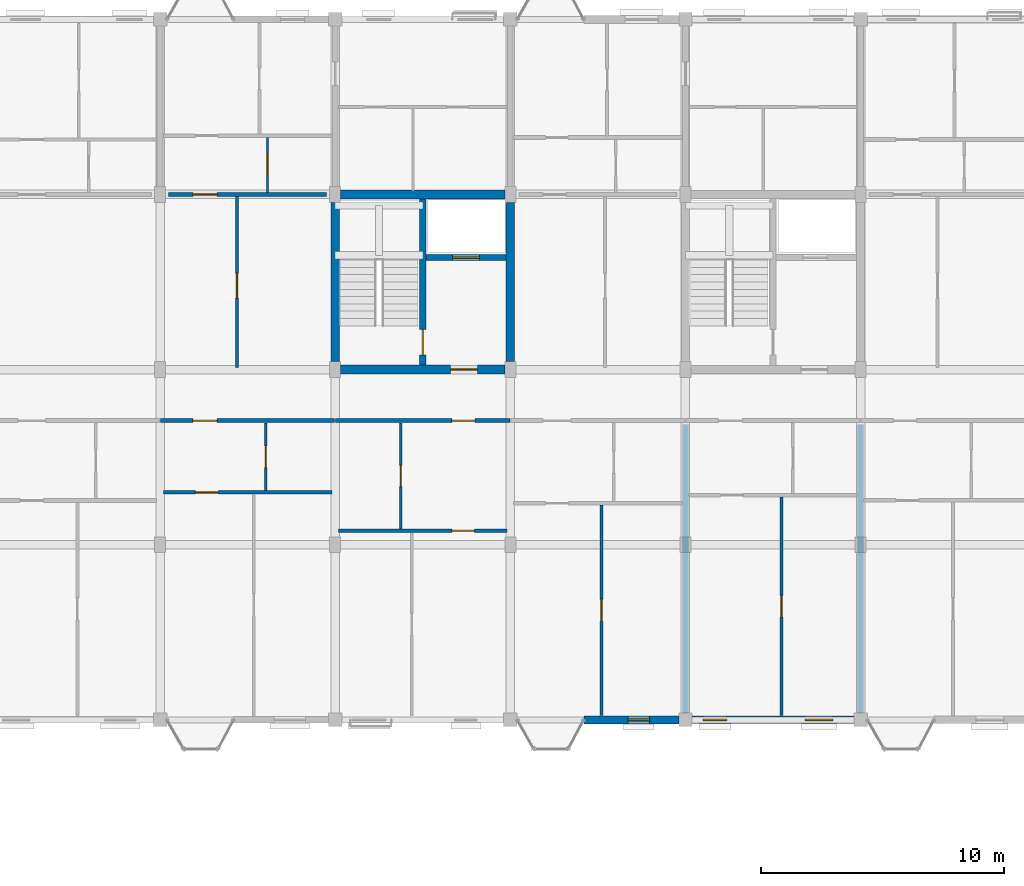
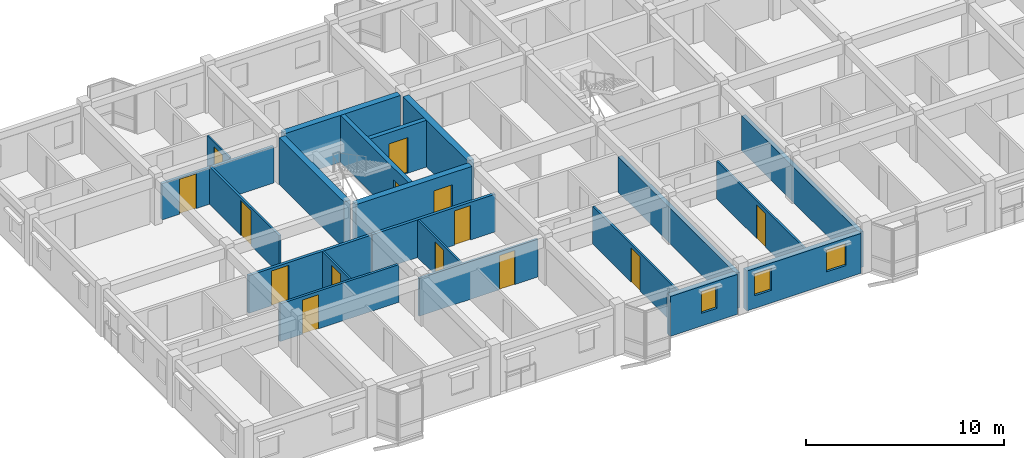
# One storey, part 66 of 79: 21 walls, 14 doors, 3 windows, 17 openings.
"""IFC4 building model written with IfcOpenShell, lengths in metres."""

from ifc_helpers import new_model, si_unit, direction, frame, frame_2d, origin, place, context, subcontext, project, spatial, rectangle, extrude, material, layer, layer_set, type_object, element, fill, save


model = new_model("IFC4")

# Units and contexts
model_context = context("Model", 3, precision=1e-05, world=origin(), true_north=direction((0.0, 1.0)))
body_context = subcontext(model_context, "Body", "Model", "MODEL_VIEW")
ifc_project = project(units=[si_unit("LENGTHUNIT", "METRE"), si_unit("AREAUNIT", "SQUARE_METRE"), si_unit("VOLUMEUNIT", "CUBIC_METRE"), si_unit("PLANEANGLEUNIT", "RADIAN"), si_unit("MASSUNIT", "GRAM", prefix="KILO"), si_unit("THERMODYNAMICTEMPERATUREUNIT", "KELVIN"), si_unit("POWERUNIT", "WATT")], contexts=[model_context])

# Site, building, storey
site_placement = place(None, origin())
site = spatial("IfcSite", under=ifc_project, at=site_placement, CompositionType="ELEMENT")
building_placement = place(site_placement, origin())
building = spatial("IfcBuilding", under=site, at=building_placement, Name="Tavuni Mirador Residences", CompositionType="ELEMENT")
storey_placement = place(building_placement, frame((0.0, 0.0, 13.949951171875)))
storey = spatial("IfcBuildingStorey", under=building, at=storey_placement, Name="L04", CompositionType="ELEMENT", Elevation=13.949951171875)

# Wall, opening, door
ifc_material_1 = material(Name="Precast concrete C40/50", Category="concrete")
ifc_layer_1 = layer(ifc_material_1, 0.25, Name="Precast concrete C40/50", Category="concrete")
ifc_layer_set_1 = layer_set([ifc_layer_1], Name="Precast concrete C40/50")
wall_type_1 = type_object("IfcWallType", Name="WT-COR250", PredefinedType="SHEAR", material=ifc_layer_set_1)
wall_1_placement = place(storey_placement, frame((28.800048828125, 158.580078125, 0.0), z_axis=(0.0, 0.0, 1.0), x_axis=(0.0, 1.0, 0.0)))
wall_1 = element("IfcWall", 1, at=wall_1_placement, inside=storey, type_object=wall_type_1, Name="CWALL-C5-L04-MID", PredefinedType="SHEAR", context=body_context, shape_type="SweptSolid", body=[
    extrude(rectangle(XDim=6.83984375, YDim=0.25, at=frame_2d((3.419921875, 0.0))), origin(), (0.0, 0.0, 1.0), 2.885009765625),
])
opening_1_placement = place(wall_1_placement, frame((0.419921875, 0.0, 0.0)))
opening_1 = element("IfcOpeningElement", 2, at=opening_1_placement, cuts=wall_1, Name="Opening D-01", PredefinedType="OPENING", context=body_context, shape_type="SweptSolid", body=[
    extrude(rectangle(XDim=1.050048828125, YDim=2.14990234375, at=frame_2d((0.52490234375, 1.074951171875))), frame((0.0, 0.135009765625, 0.0), z_axis=(0.0, -1.0, 0.0), x_axis=(1.0, 0.0, 0.0)), (0.0, 0.0, 1.0), 0.27001953125),
])
ifc_material_2 = material(Name="Solid core iroko timber", Category="wood")
door_type_1 = type_object("IfcDoorType", Name="DT-ST1050", OperationType="NOTDEFINED", PredefinedType="DOOR", material=ifc_material_2)
door_1_placement = place(opening_1_placement, origin())
door_1 = element("IfcDoor", 3, at=door_1_placement, inside=storey, type_object=door_type_1, Name="DR-2187", OperationType="SINGLE_SWING_LEFT", OverallHeight=2.14990234375, OverallWidth=1.050048828125, PredefinedType="DOOR", context=body_context, shape_type="SweptSolid", body=[
    extrude(rectangle(XDim=1.050048828125, YDim=2.14990234375, at=frame_2d((0.52490234375, 1.074951171875))), frame((0.0, 0.02490234375, 0.0), z_axis=(0.0, -1.0, 0.0), x_axis=(1.0, 0.0, 0.0)), (0.0, 0.0, 1.0), 0.050048828125),
])
fill(opening_1, door_1)

wall_2_placement = place(storey_placement, frame((28.925048828125, 163.0, 0.0), z_axis=(0.0, 0.0, 1.0), x_axis=(1.0, 0.0, 0.0)))
wall_2 = element("IfcWall", 4, at=wall_2_placement, inside=storey, type_object=wall_type_1, Name="CWALL-C5-L04-SHF", PredefinedType="SHEAR", context=body_context, shape_type="SweptSolid", body=[
    extrude(rectangle(XDim=3.294921875, YDim=0.25, at=frame_2d((1.6474609375, 0.0))), origin(), (0.0, 0.0, 1.0), 2.885009765625),
])
opening_2_placement = place(wall_2_placement, frame((1.10009765625, 0.0, 0.0)))
opening_2 = element("IfcOpeningElement", 5, at=opening_2_placement, cuts=wall_2, Name="Opening LD-01", PredefinedType="OPENING", context=body_context, shape_type="SweptSolid", body=[
    extrude(rectangle(XDim=1.10009765625, YDim=2.199951171875, at=frame_2d((0.550048828125, 1.10009765625))), frame((0.0, 0.135009765625, 0.0), z_axis=(0.0, -1.0, 0.0), x_axis=(1.0, 0.0, 0.0)), (0.0, 0.0, 1.0), 0.27001953125),
])
ifc_material_3 = material(Name="Structural steel S355", Category="steel")
door_type_2 = type_object("IfcDoorType", Name="DT-LD-FF", OperationType="SLIDING_TO_LEFT", PredefinedType="DOOR", material=ifc_material_3)
door_2_placement = place(opening_2_placement, origin())
door_2 = element("IfcDoor", 6, at=door_2_placement, inside=storey, type_object=door_type_2, Name="Lift landing door FL-C1 L04", OperationType="SLIDING_TO_LEFT", OverallHeight=2.199951171875, OverallWidth=1.10009765625, PredefinedType="DOOR", context=body_context, shape_type="SweptSolid", body=[
    extrude(rectangle(XDim=1.10009765625, YDim=2.199951171875, at=frame_2d((0.550048828125, 1.10009765625))), frame((0.0, 0.02490234375, 0.0), z_axis=(0.0, -1.0, 0.0), x_axis=(1.0, 0.0, 0.0)), (0.0, 0.0, 1.0), 0.050048828125),
])
fill(opening_2, door_2)

# Walls
ifc_layer_2 = layer(ifc_material_1, 0.360107421875, Name="Precast concrete C40/50", Category="concrete")
ifc_layer_set_2 = layer_set([ifc_layer_2], Name="Precast concrete C40/50")
wall_type_2 = type_object("IfcWallType", Name="WT-COR360", PredefinedType="SHEAR", material=ifc_layer_set_2)
wall_3_placement = place(storey_placement, frame((25.199951171875, 158.72509765625, 0.0), z_axis=(0.0, 0.0, 1.0), x_axis=(0.0, 1.0, 0.0)))
element("IfcWall", 7, at=wall_3_placement, inside=storey, type_object=wall_type_2, Name="CWALL-C5-L04-W", PredefinedType="SHEAR", context=body_context, shape_type="SweptSolid", body=[
    extrude(rectangle(XDim=6.5498046875, YDim=0.360107421875, at=frame_2d((3.27490234375, 0.0))), origin(), (0.0, 0.0, 1.0), 2.885009765625),
])
wall_4_placement = place(storey_placement, frame((25.425048828125, 165.60009765625, 0.0), z_axis=(0.0, 0.0, 1.0), x_axis=(1.0, 0.0, 0.0)))
element("IfcWall", 8, at=wall_4_placement, inside=storey, type_object=wall_type_2, Name="CWALL-C5-L04-N", PredefinedType="SHEAR", context=body_context, shape_type="SweptSolid", body=[
    extrude(rectangle(XDim=6.75, YDim=0.360107421875, at=frame_2d((3.375, 0.0))), origin(), (0.0, 0.0, 1.0), 2.885009765625),
])
wall_5_placement = place(storey_placement, frame((32.39990234375, 158.72509765625, 0.0), z_axis=(0.0, 0.0, 1.0), x_axis=(0.0, 1.0, 0.0)))
element("IfcWall", 9, at=wall_5_placement, inside=storey, type_object=wall_type_2, Name="CWALL-C5-L04-E", PredefinedType="SHEAR", context=body_context, shape_type="SweptSolid", body=[
    extrude(rectangle(XDim=6.5498046875, YDim=0.360107421875, at=frame_2d((3.27490234375, 0.0))), origin(), (0.0, 0.0, 1.0), 2.885009765625),
])

# Wall, opening, door
wall_6_placement = place(storey_placement, frame((25.425048828125, 158.39990234375, 0.0), z_axis=(0.0, 0.0, 1.0), x_axis=(1.0, 0.0, 0.0)))
wall_6 = element("IfcWall", 10, at=wall_6_placement, inside=storey, type_object=wall_type_2, Name="CWALL-C5-L04-SS", PredefinedType="SHEAR", context=body_context, shape_type="SweptSolid", body=[
    extrude(rectangle(XDim=6.75, YDim=0.360107421875, at=frame_2d((3.375, 0.0))), origin(), (0.0, 0.0, 1.0), 2.885009765625),
])
opening_3_placement = place(wall_6_placement, frame((4.52490234375, 0.0, 0.0)))
opening_3 = element("IfcOpeningElement", 11, at=opening_3_placement, cuts=wall_6, Name="Opening D-02", PredefinedType="OPENING", context=body_context, shape_type="SweptSolid", body=[
    extrude(rectangle(XDim=1.10009765625, YDim=2.14990234375, at=frame_2d((0.550048828125, 1.074951171875))), frame((0.0, 0.18994140625, 0.0), z_axis=(0.0, -1.0, 0.0), x_axis=(1.0, 0.0, 0.0)), (0.0, 0.0, 1.0), 0.380126953125),
])
door_type_3 = type_object("IfcDoorType", Name="DT-LOB1100", OperationType="NOTDEFINED", PredefinedType="DOOR", material=ifc_material_2)
door_3_placement = place(opening_3_placement, frame((1.10009765625, 0.0, 0.0), z_axis=(0.0, 0.0, 1.0), x_axis=(-1.0, 0.0, 0.0)))
door_3 = element("IfcDoor", 12, at=door_3_placement, inside=storey, type_object=door_type_3, Name="DR-2186", OperationType="SINGLE_SWING_RIGHT", OverallHeight=2.14990234375, OverallWidth=1.10009765625, PredefinedType="DOOR", context=body_context, shape_type="SweptSolid", body=[
    extrude(rectangle(XDim=1.10009765625, YDim=2.14990234375, at=frame_2d((0.550048828125, 1.074951171875))), frame((0.0, 0.02490234375, 0.0), z_axis=(0.0, -1.0, 0.0), x_axis=(1.0, 0.0, 0.0)), (0.0, 0.0, 1.0), 0.050048828125),
])
fill(opening_3, door_3)

ifc_layer_3 = layer(ifc_material_1, 0.1650390625, Name="Precast concrete C40/50", Category="concrete")
ifc_layer_set_3 = layer_set([ifc_layer_3], Name="Precast concrete C40/50")
wall_type_3 = type_object("IfcWallType", Name="WT-CORR165", PredefinedType="PARTITIONING", material=ifc_layer_set_3)
wall_7_placement = place(storey_placement, frame((18.02001953125, 156.300048828125, 0.0), z_axis=(0.0, 0.0, 1.0), x_axis=(1.0, 0.0, 0.0)))
wall_7 = element("IfcWall", 13, at=wall_7_placement, inside=storey, type_object=wall_type_3, Name="CORW-BLK-C-L04-0-01", PredefinedType="PARTITIONING", context=body_context, shape_type="SweptSolid", body=[
    extrude(rectangle(XDim=7.159912109375, YDim=0.1650390625, at=frame_2d((3.580078125, 0.0))), origin(), (0.0, 0.0, 1.0), 2.320068359375),
])
opening_4_placement = place(wall_7_placement, frame((1.330078125, 0.0, 0.0)))
opening_4 = element("IfcOpeningElement", 14, at=opening_4_placement, cuts=wall_7, Name="Opening D-03", PredefinedType="OPENING", context=body_context, shape_type="SweptSolid", body=[
    extrude(rectangle(XDim=1.0, YDim=2.14990234375, at=frame_2d((0.5, 1.074951171875))), frame((0.0, 0.092529296875, 0.0), z_axis=(0.0, -1.0, 0.0), x_axis=(1.0, 0.0, 0.0)), (0.0, 0.0, 1.0), 0.18505859375),
])
door_type_4 = type_object("IfcDoorType", Name="DT-FD60-1000", OperationType="NOTDEFINED", PredefinedType="DOOR", material=ifc_material_2)
door_4_placement = place(opening_4_placement, origin())
door_4 = element("IfcDoor", 15, at=door_4_placement, inside=storey, type_object=door_type_4, Name="DR-2676", OperationType="SINGLE_SWING_LEFT", OverallHeight=2.14990234375, OverallWidth=1.0, PredefinedType="DOOR", context=body_context, shape_type="SweptSolid", body=[
    extrude(rectangle(XDim=1.0, YDim=2.14990234375, at=frame_2d((0.5, 1.074951171875))), frame((0.0, 0.02490234375, 0.0), z_axis=(0.0, -1.0, 0.0), x_axis=(1.0, 0.0, 0.0)), (0.0, 0.0, 1.0), 0.050048828125),
])
fill(opening_4, door_4)

wall_8_placement = place(storey_placement, frame((25.219970703125, 156.300048828125, 0.0), z_axis=(0.0, 0.0, 1.0), x_axis=(1.0, 0.0, 0.0)))
wall_8 = element("IfcWall", 16, at=wall_8_placement, inside=storey, type_object=wall_type_3, Name="CORW-BLK-C-L04-0-02", PredefinedType="PARTITIONING", context=body_context, shape_type="SweptSolid", body=[
    extrude(rectangle(XDim=7.159912109375, YDim=0.1650390625, at=frame_2d((3.580078125, 0.0))), origin(), (0.0, 0.0, 1.0), 2.320068359375),
])
opening_5_placement = place(wall_8_placement, frame((4.780029296875, 0.0, 0.0)))
opening_5 = element("IfcOpeningElement", 17, at=opening_5_placement, cuts=wall_8, Name="Opening D-19", PredefinedType="OPENING", context=body_context, shape_type="SweptSolid", body=[
    extrude(rectangle(XDim=0.93994140625, YDim=2.1201171875, at=frame_2d((0.469970703125, 1.06005859375))), frame((0.0, 0.092529296875, 0.0), z_axis=(0.0, -1.0, 0.0), x_axis=(1.0, 0.0, 0.0)), (0.0, 0.0, 1.0), 0.18505859375),
])
door_type_5 = type_object("IfcDoorType", Name="DT-FD60-940", OperationType="NOTDEFINED", PredefinedType="DOOR", material=ifc_material_2)
door_5_placement = place(opening_5_placement, origin())
door_5 = element("IfcDoor", 18, at=door_5_placement, inside=storey, type_object=door_type_5, Name="DR-2677", OperationType="SINGLE_SWING_RIGHT", OverallHeight=2.1201171875, OverallWidth=0.93994140625, PredefinedType="DOOR", context=body_context, shape_type="SweptSolid", body=[
    extrude(rectangle(XDim=0.93994140625, YDim=2.1201171875, at=frame_2d((0.469970703125, 1.06005859375))), frame((0.0, 0.02490234375, 0.0), z_axis=(0.0, -1.0, 0.0), x_axis=(1.0, 0.0, 0.0)), (0.0, 0.0, 1.0), 0.050048828125),
])
fill(opening_5, door_5)

wall_9_placement = place(storey_placement, frame((18.35009765625, 165.60009765625, 0.0), z_axis=(0.0, 0.0, 1.0), x_axis=(1.0, 0.0, 0.0)))
wall_9 = element("IfcWall", 19, at=wall_9_placement, inside=storey, type_object=wall_type_3, Name="CORW-BLK-C-L04-1-01", PredefinedType="PARTITIONING", context=body_context, shape_type="SweptSolid", body=[
    extrude(rectangle(XDim=6.5, YDim=0.1650390625, at=frame_2d((3.25, 0.0))), origin(), (0.0, 0.0, 1.0), 2.235107421875),
])
opening_6_placement = place(wall_9_placement, frame((1.0, 0.0, 0.0)))
opening_6 = element("IfcOpeningElement", 20, at=opening_6_placement, cuts=wall_9, Name="Opening D-03", PredefinedType="OPENING", context=body_context, shape_type="SweptSolid", body=[
    extrude(rectangle(XDim=1.0, YDim=2.14990234375, at=frame_2d((0.5, 1.074951171875))), frame((0.0, 0.092529296875, 0.0), z_axis=(0.0, -1.0, 0.0), x_axis=(1.0, 0.0, 0.0)), (0.0, 0.0, 1.0), 0.18505859375),
])
door_6_placement = place(opening_6_placement, origin())
door_6 = element("IfcDoor", 21, at=door_6_placement, inside=storey, type_object=door_type_4, Name="DR-2685", OperationType="SINGLE_SWING_RIGHT", OverallHeight=2.14990234375, OverallWidth=1.0, PredefinedType="DOOR", context=body_context, shape_type="SweptSolid", body=[
    extrude(rectangle(XDim=1.0, YDim=2.14990234375, at=frame_2d((0.5, 1.074951171875))), frame((0.0, 0.02490234375, 0.0), z_axis=(0.0, -1.0, 0.0), x_axis=(1.0, 0.0, 0.0)), (0.0, 0.0, 1.0), 0.050048828125),
])
fill(opening_6, door_6)

# Wall, opening, window
ifc_layer_4 = layer(ifc_material_1, 0.330078125, Name="Precast concrete C40/50", Category="concrete")
ifc_layer_set_4 = layer_set([ifc_layer_4], Name="Precast concrete C40/50")
wall_type_4 = type_object("IfcWallType", Name="WT-EXT-COR330", PredefinedType="SOLIDWALL", material=ifc_layer_set_4)
wall_10_placement = place(storey_placement, frame((35.419921875, 144.0, 0.0), z_axis=(0.0, 0.0, 1.0), x_axis=(1.0, 0.0, 0.0)))
wall_10 = element("IfcWall", 22, at=wall_10_placement, inside=storey, type_object=wall_type_4, Name="EW-BLK-C-L04-S03", PredefinedType="SOLIDWALL", context=body_context, shape_type="SweptSolid", body=[
    extrude(rectangle(XDim=3.905029296875, YDim=0.330078125, at=frame_2d((1.95263671875, 0.0))), origin(), (0.0, 0.0, 1.0), 2.455078125),
])
opening_7_placement = place(wall_10_placement, frame((1.8125, 0.0, 0.780029296875)))
opening_7 = element("IfcOpeningElement", 23, at=opening_7_placement, cuts=wall_10, Name="Opening WN-17", PredefinedType="OPENING", context=body_context, shape_type="SweptSolid", body=[
    extrude(rectangle(XDim=0.89990234375, YDim=1.360107421875, at=frame_2d((0.449951171875, 0.68017578125))), frame((0.0, 0.175048828125, 0.0), z_axis=(0.0, -1.0, 0.0), x_axis=(1.0, 0.0, 0.0)), (0.0, 0.0, 1.0), 0.35009765625),
])
ifc_material_4 = material(Name="Laminated solar-control glass", Category="glass")
window_type_1 = type_object("IfcWindowType", Name="WNT-17", PartitioningType="SINGLE_PANEL", PredefinedType="WINDOW", material=ifc_material_4)
window_1_placement = place(opening_7_placement, origin())
window_1 = element("IfcWindow", 24, at=window_1_placement, inside=storey, type_object=window_type_1, Name="WIN-1002", OverallHeight=1.360107421875, OverallWidth=0.89990234375, PartitioningType="SINGLE_PANEL", PredefinedType="WINDOW", context=body_context, shape_type="SweptSolid", body=[
    extrude(rectangle(XDim=0.89990234375, YDim=1.360107421875, at=frame_2d((0.449951171875, 0.68017578125))), frame((0.0, 0.030029296875, 0.0), z_axis=(0.0, -1.0, 0.0), x_axis=(1.0, 0.0, 0.0)), (0.0, 0.0, 1.0), 0.06005859375),
])
fill(opening_7, window_1)

# Wall, openings, windows
ifc_material_5 = material(Name="Sgraffito lime-rendered precast concrete C40/50", Category="concrete")
ifc_layer_5 = layer(ifc_material_5, 0.31494140625, Name="Sgraffito lime-rendered precast concrete C40/50", Category="concrete")
ifc_layer_set_5 = layer_set([ifc_layer_5], Name="Sgraffito lime-rendered precast concrete C40/50")
wall_type_5 = type_object("IfcWallType", Name="WT-EXT-PC315", PredefinedType="SOLIDWALL", material=ifc_layer_set_5)
wall_11_placement = place(storey_placement, frame((39.875, 144.0, 0.0), z_axis=(0.0, 0.0, 1.0), x_axis=(1.0, 0.0, 0.0)))
wall_11 = element("IfcWall", 25, at=wall_11_placement, inside=storey, type_object=wall_type_5, Name="EW-BLK-C-L04-S04", PredefinedType="SOLIDWALL", context=body_context, shape_type="SweptSolid", body=[
    extrude(rectangle(XDim=6.64990234375, YDim=0.31494140625, at=frame_2d((3.324951171875, 0.0))), origin(), (0.0, 0.0, 1.0), 2.455078125),
])
opening_8_placement = place(wall_11_placement, frame((0.449951171875, 0.0, 0.780029296875)))
opening_8 = element("IfcOpeningElement", 26, at=opening_8_placement, cuts=wall_11, Name="Opening WN-18", PredefinedType="OPENING", context=body_context, shape_type="SweptSolid", body=[
    extrude(rectangle(XDim=0.97998046875, YDim=1.360107421875, at=frame_2d((0.489990234375, 0.68017578125))), frame((0.0, 0.16748046875, 0.0), z_axis=(0.0, -1.0, 0.0), x_axis=(1.0, 0.0, 0.0)), (0.0, 0.0, 1.0), 0.3349609375),
])
opening_9_placement = place(wall_11_placement, frame((4.64990234375, 0.0, 0.780029296875)))
opening_9 = element("IfcOpeningElement", 27, at=opening_9_placement, cuts=wall_11, Name="Opening WN-20", PredefinedType="OPENING", context=body_context, shape_type="SweptSolid", body=[
    extrude(rectangle(XDim=1.139892578125, YDim=1.360107421875, at=frame_2d((0.56982421875, 0.68017578125))), frame((0.0, 0.16748046875, 0.0), z_axis=(0.0, -1.0, 0.0), x_axis=(1.0, 0.0, 0.0)), (0.0, 0.0, 1.0), 0.3349609375),
])
window_type_2 = type_object("IfcWindowType", Name="WNT-18", PartitioningType="SINGLE_PANEL", PredefinedType="WINDOW", material=ifc_material_4)
window_2_placement = place(opening_8_placement, origin())
window_2 = element("IfcWindow", 28, at=window_2_placement, inside=storey, type_object=window_type_2, Name="WIN-1003", OverallHeight=1.360107421875, OverallWidth=0.97998046875, PartitioningType="SINGLE_PANEL", PredefinedType="WINDOW", context=body_context, shape_type="SweptSolid", body=[
    extrude(rectangle(XDim=0.97998046875, YDim=1.360107421875, at=frame_2d((0.489990234375, 0.68017578125))), frame((0.0, 0.030029296875, 0.0), z_axis=(0.0, -1.0, 0.0), x_axis=(1.0, 0.0, 0.0)), (0.0, 0.0, 1.0), 0.06005859375),
])
fill(opening_8, window_2)
window_type_3 = type_object("IfcWindowType", Name="WNT-20", PartitioningType="SINGLE_PANEL", PredefinedType="WINDOW", material=ifc_material_4)
window_3_placement = place(opening_9_placement, origin())
window_3 = element("IfcWindow", 29, at=window_3_placement, inside=storey, type_object=window_type_3, Name="WIN-1004", OverallHeight=1.360107421875, OverallWidth=1.139892578125, PartitioningType="SINGLE_PANEL", PredefinedType="WINDOW", context=body_context, shape_type="SweptSolid", body=[
    extrude(rectangle(XDim=1.139892578125, YDim=1.360107421875, at=frame_2d((0.56982421875, 0.68017578125))), frame((0.0, 0.030029296875, 0.0), z_axis=(0.0, -1.0, 0.0), x_axis=(1.0, 0.0, 0.0)), (0.0, 0.0, 1.0), 0.06005859375),
])
fill(opening_9, window_3)

# Wall, opening, door
ifc_material_6 = material(Name="Acoustic gypsum and concrete block partition", Category="concrete")
ifc_layer_6 = layer(ifc_material_6, 0.094970703125, Name="Acoustic gypsum and concrete block partition", Category="concrete")
ifc_layer_set_6 = layer_set([ifc_layer_6], Name="Acoustic gypsum and concrete block partition")
wall_type_6 = type_object("IfcWallType", Name="WT-PART095", PredefinedType="PARTITIONING", material=ifc_layer_set_6)
wall_12_placement = place(storey_placement, frame((22.419921875, 165.68994140625, 0.0), z_axis=(0.0, 0.0, 1.0), x_axis=(0.0, 1.0, 0.0)))
wall_12 = element("IfcWall", 30, at=wall_12_placement, inside=storey, type_object=wall_type_6, Name="PW-BLK-C-L04-N01-IN1", PredefinedType="PARTITIONING", context=body_context, shape_type="SweptSolid", body=[
    extrude(rectangle(XDim=2.260009765625, YDim=0.094970703125, at=frame_2d((1.1298828125, 0.0))), origin(), (0.0, 0.0, 1.0), 2.320068359375),
])
opening_10_placement = place(wall_12_placement, frame((0.695068359375, 0.0, 0.0)))
opening_10 = element("IfcOpeningElement", 31, at=opening_10_placement, cuts=wall_12, Name="Opening D-10", PredefinedType="OPENING", context=body_context, shape_type="SweptSolid", body=[
    extrude(rectangle(XDim=0.8701171875, YDim=2.050048828125, at=frame_2d((0.43505859375, 1.02490234375))), frame((0.0, 0.0576171875, 0.0), z_axis=(0.0, -1.0, 0.0), x_axis=(1.0, 0.0, 0.0)), (0.0, 0.0, 1.0), 0.114990234375),
])
door_type_6 = type_object("IfcDoorType", Name="DT-WC870", OperationType="NOTDEFINED", PredefinedType="DOOR", material=ifc_material_2)
door_7_placement = place(opening_10_placement, origin())
door_7 = element("IfcDoor", 32, at=door_7_placement, inside=storey, type_object=door_type_6, Name="DR-3861", OperationType="SINGLE_SWING_RIGHT", OverallHeight=2.050048828125, OverallWidth=0.8701171875, PredefinedType="DOOR", context=body_context, shape_type="SweptSolid", body=[
    extrude(rectangle(XDim=0.8701171875, YDim=2.050048828125, at=frame_2d((0.43505859375, 1.02490234375))), frame((0.0, 0.02490234375, 0.0), z_axis=(0.0, -1.0, 0.0), x_axis=(1.0, 0.0, 0.0)), (0.0, 0.0, 1.0), 0.050048828125),
])
fill(opening_10, door_7)

ifc_layer_7 = layer(ifc_material_6, 0.10498046875, Name="Acoustic gypsum and concrete block partition", Category="concrete")
ifc_layer_set_7 = layer_set([ifc_layer_7], Name="Acoustic gypsum and concrete block partition")
wall_type_7 = type_object("IfcWallType", Name="WT-PART105", PredefinedType="PARTITIONING", material=ifc_layer_set_7)
wall_13_placement = place(storey_placement, frame((22.35009765625, 153.419921875, 0.0), z_axis=(0.0, 0.0, 1.0), x_axis=(0.0, 1.0, 0.0)))
wall_13 = element("IfcWall", 33, at=wall_13_placement, inside=storey, type_object=wall_type_7, Name="PW-BLK-C-L04-S01-IN1", PredefinedType="PARTITIONING", context=body_context, shape_type="SweptSolid", body=[
    extrude(rectangle(XDim=2.7900390625, YDim=0.10498046875, at=frame_2d((1.39501953125, 0.0))), origin(), (0.0, 0.0, 1.0), 2.320068359375),
])
opening_11_placement = place(wall_13_placement, frame((0.945068359375, 0.0, 0.0)))
opening_11 = element("IfcOpeningElement", 34, at=opening_11_placement, cuts=wall_13, Name="Opening D-09", PredefinedType="OPENING", context=body_context, shape_type="SweptSolid", body=[
    extrude(rectangle(XDim=0.89990234375, YDim=2.050048828125, at=frame_2d((0.449951171875, 1.02490234375))), frame((0.0, 0.0625, 0.0), z_axis=(0.0, -1.0, 0.0), x_axis=(1.0, 0.0, 0.0)), (0.0, 0.0, 1.0), 0.125),
])
door_type_7 = type_object("IfcDoorType", Name="DT-WC900", OperationType="NOTDEFINED", PredefinedType="DOOR", material=ifc_material_2)
door_8_placement = place(opening_11_placement, origin())
door_8 = element("IfcDoor", 35, at=door_8_placement, inside=storey, type_object=door_type_7, Name="DR-3858", OperationType="SINGLE_SWING_LEFT", OverallHeight=2.050048828125, OverallWidth=0.89990234375, PredefinedType="DOOR", context=body_context, shape_type="SweptSolid", body=[
    extrude(rectangle(XDim=0.89990234375, YDim=2.050048828125, at=frame_2d((0.449951171875, 1.02490234375))), frame((0.0, 0.02490234375, 0.0), z_axis=(0.0, -1.0, 0.0), x_axis=(1.0, 0.0, 0.0)), (0.0, 0.0, 1.0), 0.050048828125),
])
fill(opening_11, door_8)

wall_14_placement = place(storey_placement, frame((27.89990234375, 151.840087890625, 0.0), z_axis=(0.0, 0.0, 1.0), x_axis=(0.0, 1.0, 0.0)))
wall_14 = element("IfcWall", 36, at=wall_14_placement, inside=storey, type_object=wall_type_7, Name="PW-BLK-C-L04-S02-IN1", PredefinedType="PARTITIONING", context=body_context, shape_type="SweptSolid", body=[
    extrude(rectangle(XDim=4.369873046875, YDim=0.10498046875, at=frame_2d((2.18505859375, 0.0))), origin(), (0.0, 0.0, 1.0), 2.320068359375),
])
opening_12_placement = place(wall_14_placement, frame((1.75, 0.0, 0.0)))
opening_12 = element("IfcOpeningElement", 37, at=opening_12_placement, cuts=wall_14, Name="Opening D-10", PredefinedType="OPENING", context=body_context, shape_type="SweptSolid", body=[
    extrude(rectangle(XDim=0.8701171875, YDim=2.050048828125, at=frame_2d((0.43505859375, 1.02490234375))), frame((0.0, 0.0625, 0.0), z_axis=(0.0, -1.0, 0.0), x_axis=(1.0, 0.0, 0.0)), (0.0, 0.0, 1.0), 0.125),
])
door_9_placement = place(opening_12_placement, origin())
door_9 = element("IfcDoor", 38, at=door_9_placement, inside=storey, type_object=door_type_6, Name="DR-3864", OperationType="SINGLE_SWING_RIGHT", OverallHeight=2.050048828125, OverallWidth=0.8701171875, PredefinedType="DOOR", context=body_context, shape_type="SweptSolid", body=[
    extrude(rectangle(XDim=0.8701171875, YDim=2.050048828125, at=frame_2d((0.43505859375, 1.02490234375))), frame((0.0, 0.02490234375, 0.0), z_axis=(0.0, -1.0, 0.0), x_axis=(1.0, 0.0, 0.0)), (0.0, 0.0, 1.0), 0.050048828125),
])
fill(opening_12, door_9)

ifc_layer_8 = layer(ifc_material_6, 0.114990234375, Name="Acoustic gypsum and concrete block partition", Category="concrete")
ifc_layer_set_8 = layer_set([ifc_layer_8], Name="Acoustic gypsum and concrete block partition")
wall_type_8 = type_object("IfcWallType", Name="WT-PART115", PredefinedType="PARTITIONING", material=ifc_layer_set_8)
wall_15_placement = place(storey_placement, frame((36.14990234375, 144.175048828125, 0.0), z_axis=(0.0, 0.0, 1.0), x_axis=(0.0, 1.0, 0.0)))
wall_15 = element("IfcWall", 39, at=wall_15_placement, inside=storey, type_object=wall_type_8, Name="PW-BLK-C-L04-S03-OUT", PredefinedType="PARTITIONING", context=body_context, shape_type="SweptSolid", body=[
    extrude(rectangle(XDim=8.655029296875, YDim=0.114990234375, at=frame_2d((4.32763671875, 0.0))), origin(), (0.0, 0.0, 1.0), 2.320068359375),
])
opening_13_placement = place(wall_15_placement, frame((3.87744140625, 0.0, 0.0)))
opening_13 = element("IfcOpeningElement", 40, at=opening_13_placement, cuts=wall_15, Name="Opening D-07", PredefinedType="OPENING", context=body_context, shape_type="SweptSolid", body=[
    extrude(rectangle(XDim=0.89990234375, YDim=2.10009765625, at=frame_2d((0.449951171875, 1.050048828125))), frame((0.0, 0.0673828125, 0.0), z_axis=(0.0, -1.0, 0.0), x_axis=(1.0, 0.0, 0.0)), (0.0, 0.0, 1.0), 0.135009765625),
])
door_type_8 = type_object("IfcDoorType", Name="DT-BED900", OperationType="NOTDEFINED", PredefinedType="DOOR", material=ifc_material_2)
door_10_placement = place(opening_13_placement, origin())
door_10 = element("IfcDoor", 41, at=door_10_placement, inside=storey, type_object=door_type_8, Name="DR-3869", OperationType="SINGLE_SWING_RIGHT", OverallHeight=2.10009765625, OverallWidth=0.89990234375, PredefinedType="DOOR", context=body_context, shape_type="SweptSolid", body=[
    extrude(rectangle(XDim=0.89990234375, YDim=2.10009765625, at=frame_2d((0.449951171875, 1.050048828125))), frame((0.0, 0.02490234375, 0.0), z_axis=(0.0, -1.0, 0.0), x_axis=(1.0, 0.0, 0.0)), (0.0, 0.0, 1.0), 0.050048828125),
])
fill(opening_13, door_10)

wall_16_placement = place(storey_placement, frame((43.550048828125, 144.175048828125, 0.0), z_axis=(0.0, 0.0, 1.0), x_axis=(0.0, 1.0, 0.0)))
wall_16 = element("IfcWall", 42, at=wall_16_placement, inside=storey, type_object=wall_type_8, Name="PW-BLK-C-L04-S04-OUT", PredefinedType="PARTITIONING", context=body_context, shape_type="SweptSolid", body=[
    extrude(rectangle(XDim=8.994873046875, YDim=0.114990234375, at=frame_2d((4.49755859375, 0.0))), origin(), (0.0, 0.0, 1.0), 2.320068359375),
])
opening_14_placement = place(wall_16_placement, frame((4.0576171875, 0.0, 0.0)))
opening_14 = element("IfcOpeningElement", 43, at=opening_14_placement, cuts=wall_16, Name="Opening D-08", PredefinedType="OPENING", context=body_context, shape_type="SweptSolid", body=[
    extrude(rectangle(XDim=0.8798828125, YDim=2.080078125, at=frame_2d((0.43994140625, 1.0400390625))), frame((0.0, 0.0673828125, 0.0), z_axis=(0.0, -1.0, 0.0), x_axis=(1.0, 0.0, 0.0)), (0.0, 0.0, 1.0), 0.135009765625),
])
door_type_9 = type_object("IfcDoorType", Name="DT-BED880", OperationType="NOTDEFINED", PredefinedType="DOOR", material=ifc_material_2)
door_11_placement = place(opening_14_placement, origin())
door_11 = element("IfcDoor", 44, at=door_11_placement, inside=storey, type_object=door_type_9, Name="DR-3875", OperationType="SINGLE_SWING_LEFT", OverallHeight=2.080078125, OverallWidth=0.8798828125, PredefinedType="DOOR", context=body_context, shape_type="SweptSolid", body=[
    extrude(rectangle(XDim=0.8798828125, YDim=2.080078125, at=frame_2d((0.43994140625, 1.0400390625))), frame((0.0, 0.02490234375, 0.0), z_axis=(0.0, -1.0, 0.0), x_axis=(1.0, 0.0, 0.0)), (0.0, 0.0, 1.0), 0.050048828125),
])
fill(opening_14, door_11)

ifc_layer_9 = layer(ifc_material_6, 0.125, Name="Acoustic gypsum and concrete block partition", Category="concrete")
ifc_layer_set_9 = layer_set([ifc_layer_9], Name="Acoustic gypsum and concrete block partition")
wall_type_9 = type_object("IfcWallType", Name="WT-PART125", PredefinedType="PARTITIONING", material=ifc_layer_set_9)
wall_17_placement = place(storey_placement, frame((21.159912109375, 158.489990234375, 0.0), z_axis=(0.0, 0.0, 1.0), x_axis=(0.0, 1.0, 0.0)))
wall_17 = element("IfcWall", 45, at=wall_17_placement, inside=storey, type_object=wall_type_9, Name="PW-SPN-BLK-C-L04-01", PredefinedType="PARTITIONING", context=body_context, shape_type="SweptSolid", body=[
    extrude(rectangle(XDim=7.02001953125, YDim=0.125, at=frame_2d((3.510009765625, 0.0))), origin(), (0.0, 0.0, 1.0), 2.320068359375),
])
opening_15_placement = place(wall_17_placement, frame((2.85009765625, 0.0, 0.0)))
opening_15 = element("IfcOpeningElement", 46, at=opening_15_placement, cuts=wall_17, Name="Opening D-13", PredefinedType="OPENING", context=body_context, shape_type="SweptSolid", body=[
    extrude(rectangle(XDim=1.02001953125, YDim=2.14990234375, at=frame_2d((0.510009765625, 1.074951171875))), frame((0.0, 0.072509765625, 0.0), z_axis=(0.0, -1.0, 0.0), x_axis=(1.0, 0.0, 0.0)), (0.0, 0.0, 1.0), 0.14501953125),
])
door_type_10 = type_object("IfcDoorType", Name="DT-MTG1020", OperationType="NOTDEFINED", PredefinedType="DOOR", material=ifc_material_2)
door_12_placement = place(opening_15_placement, origin())
door_12 = element("IfcDoor", 47, at=door_12_placement, inside=storey, type_object=door_type_10, Name="DR-3856", OperationType="SINGLE_SWING_RIGHT", OverallHeight=2.14990234375, OverallWidth=1.02001953125, PredefinedType="DOOR", context=body_context, shape_type="SweptSolid", body=[
    extrude(rectangle(XDim=1.02001953125, YDim=2.14990234375, at=frame_2d((0.510009765625, 1.074951171875))), frame((0.0, 0.02490234375, 0.0), z_axis=(0.0, -1.0, 0.0), x_axis=(1.0, 0.0, 0.0)), (0.0, 0.0, 1.0), 0.050048828125),
])
fill(opening_15, door_12)

ifc_layer_10 = layer(ifc_material_6, 0.139892578125, Name="Acoustic gypsum and concrete block partition", Category="concrete")
ifc_layer_set_10 = layer_set([ifc_layer_10], Name="Acoustic gypsum and concrete block partition")
wall_type_10 = type_object("IfcWallType", Name="WT-PART140", PredefinedType="PARTITIONING", material=ifc_layer_set_10)
wall_18_placement = place(storey_placement, frame((18.139892578125, 153.35009765625, 0.0), z_axis=(0.0, 0.0, 1.0), x_axis=(1.0, 0.0, 0.0)))
wall_18 = element("IfcWall", 48, at=wall_18_placement, inside=storey, type_object=wall_type_10, Name="PW-BLK-C-L04-S01-MID", PredefinedType="PARTITIONING", context=body_context, shape_type="SweptSolid", body=[
    extrude(rectangle(XDim=6.920166015625, YDim=0.139892578125, at=frame_2d((3.4599609375, 0.0))), origin(), (0.0, 0.0, 1.0), 2.320068359375),
])
opening_16_placement = place(wall_18_placement, frame((1.31005859375, 0.0, 0.0)))
opening_16 = element("IfcOpeningElement", 49, at=opening_16_placement, cuts=wall_18, Name="Opening D-05", PredefinedType="OPENING", context=body_context, shape_type="SweptSolid", body=[
    extrude(rectangle(XDim=0.949951171875, YDim=2.10009765625, at=frame_2d((0.47509765625, 1.050048828125))), frame((0.0, 0.080078125, 0.0), z_axis=(0.0, -1.0, 0.0), x_axis=(1.0, 0.0, 0.0)), (0.0, 0.0, 1.0), 0.159912109375),
])
door_type_11 = type_object("IfcDoorType", Name="DT-INT950", OperationType="NOTDEFINED", PredefinedType="DOOR", material=ifc_material_2)
door_13_placement = place(opening_16_placement, origin())
door_13 = element("IfcDoor", 50, at=door_13_placement, inside=storey, type_object=door_type_11, Name="DR-3859", OperationType="SINGLE_SWING_LEFT", OverallHeight=2.10009765625, OverallWidth=0.949951171875, PredefinedType="DOOR", context=body_context, shape_type="SweptSolid", body=[
    extrude(rectangle(XDim=0.949951171875, YDim=2.10009765625, at=frame_2d((0.47509765625, 1.050048828125))), frame((0.0, 0.02490234375, 0.0), z_axis=(0.0, -1.0, 0.0), x_axis=(1.0, 0.0, 0.0)), (0.0, 0.0, 1.0), 0.050048828125),
])
fill(opening_16, door_13)

wall_19_placement = place(storey_placement, frame((25.340087890625, 151.77001953125, 0.0), z_axis=(0.0, 0.0, 1.0), x_axis=(1.0, 0.0, 0.0)))
wall_19 = element("IfcWall", 51, at=wall_19_placement, inside=storey, type_object=wall_type_10, Name="PW-BLK-C-L04-S02-MID", PredefinedType="PARTITIONING", context=body_context, shape_type="SweptSolid", body=[
    extrude(rectangle(XDim=6.919921875, YDim=0.139892578125, at=frame_2d((3.4599609375, 0.0))), origin(), (0.0, 0.0, 1.0), 2.320068359375),
])
opening_17_placement = place(wall_19_placement, frame((4.659912109375, 0.0, 0.0)))
opening_17 = element("IfcOpeningElement", 52, at=opening_17_placement, cuts=wall_19, Name="Opening D-06", PredefinedType="OPENING", context=body_context, shape_type="SweptSolid", body=[
    extrude(rectangle(XDim=0.919921875, YDim=2.10009765625, at=frame_2d((0.4599609375, 1.050048828125))), frame((0.0, 0.080078125, 0.0), z_axis=(0.0, -1.0, 0.0), x_axis=(1.0, 0.0, 0.0)), (0.0, 0.0, 1.0), 0.159912109375),
])
door_type_12 = type_object("IfcDoorType", Name="DT-INT920", OperationType="NOTDEFINED", PredefinedType="DOOR", material=ifc_material_2)
door_14_placement = place(opening_17_placement, origin())
door_14 = element("IfcDoor", 53, at=door_14_placement, inside=storey, type_object=door_type_12, Name="DR-3865", OperationType="SINGLE_SWING_RIGHT", OverallHeight=2.10009765625, OverallWidth=0.919921875, PredefinedType="DOOR", context=body_context, shape_type="SweptSolid", body=[
    extrude(rectangle(XDim=0.919921875, YDim=2.10009765625, at=frame_2d((0.4599609375, 1.050048828125))), frame((0.0, 0.02490234375, 0.0), z_axis=(0.0, -1.0, 0.0), x_axis=(1.0, 0.0, 0.0)), (0.0, 0.0, 1.0), 0.050048828125),
])
fill(opening_17, door_14)

# Walls
ifc_layer_11 = layer(ifc_material_1, 0.235107421875, Name="Precast concrete C40/50", Category="concrete")
ifc_layer_set_11 = layer_set([ifc_layer_11], Name="Precast concrete C40/50")
wall_type_11 = type_object("IfcWallType", Name="WT-XW235", PredefinedType="SOLIDWALL", material=ifc_layer_set_11)
for number, where, z_axis, x_axis, name in (
    (54, (39.60009765625, 144.27490234375, 0.0), (0.0, 0.0, 1.0), (0.0, 1.0, 0.0), "XW-BLK-C-L04-S-04"),
    (55, (46.800048828125, 144.27490234375, 0.0), (0.0, 0.0, 1.0), (0.0, 1.0, 0.0), "XW-BLK-C-L04-S-05"),
):
    element("IfcWall", number, at=place(storey_placement, frame(where, z_axis=z_axis, x_axis=x_axis)), inside=storey, type_object=wall_type_11, Name=name, PredefinedType="SOLIDWALL", context=body_context, shape_type="SweptSolid", body=[
        extrude(rectangle(XDim=11.875, YDim=0.235107421875, at=frame_2d((5.9375, 0.0))), origin(), (0.0, 0.0, 1.0), 2.18505859375),
    ])

save(model, "model.ifc")
